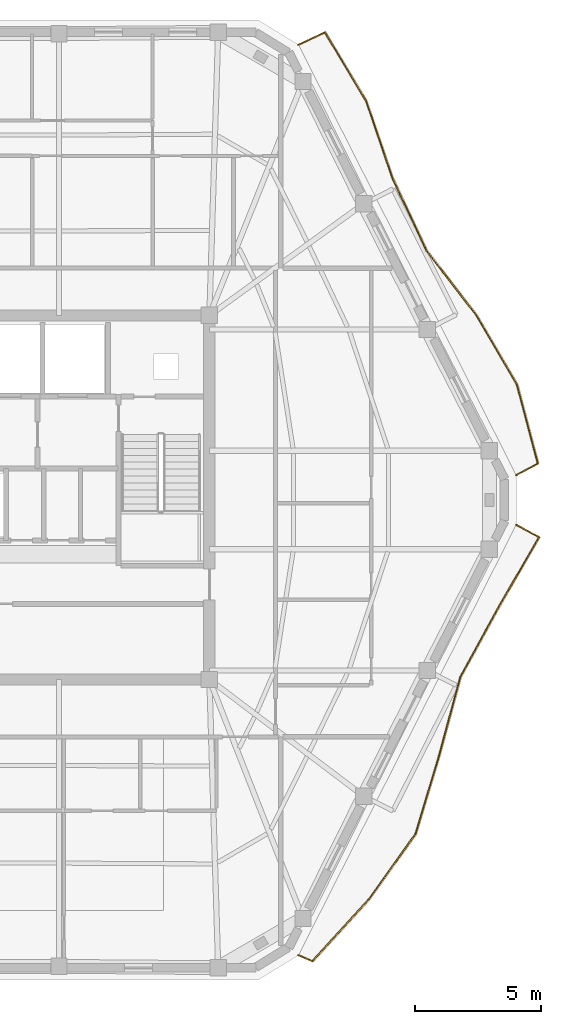
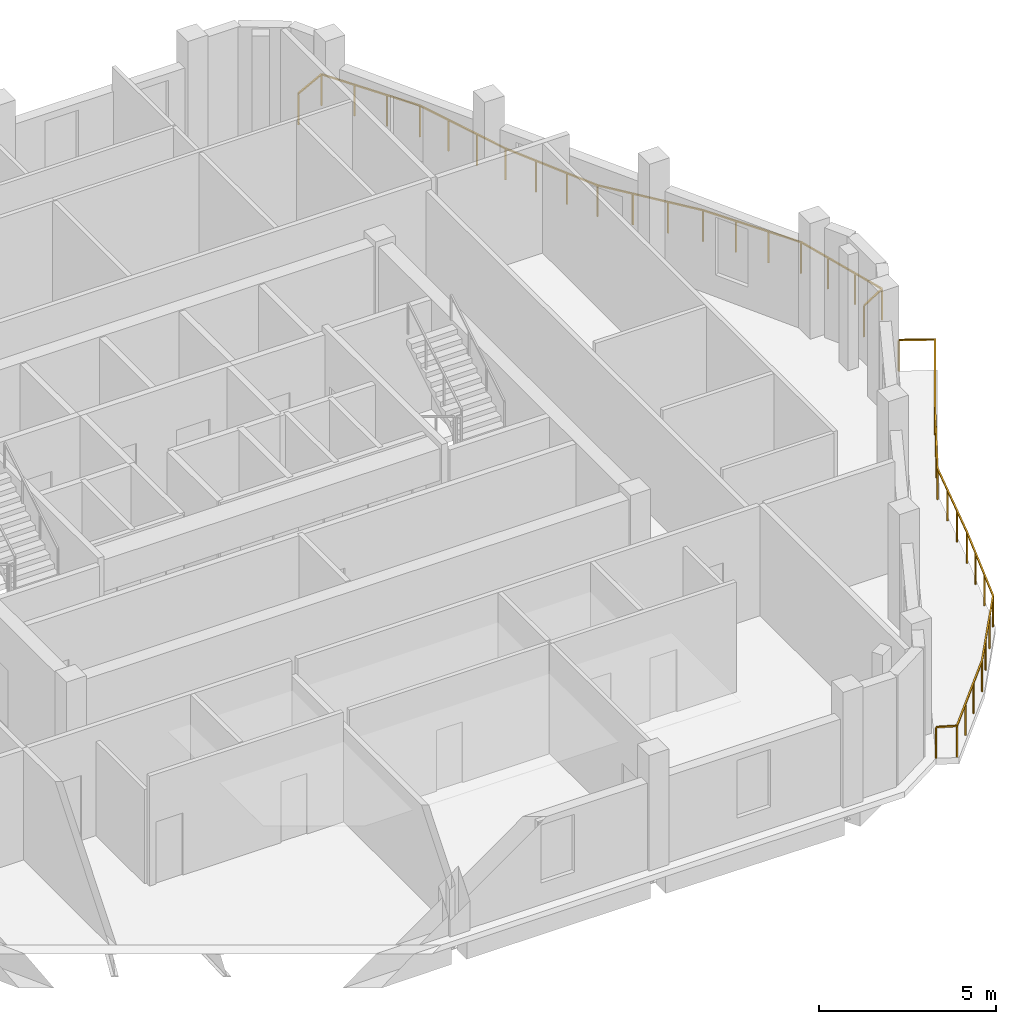
# One storey, part 11 of 11: 2 railings.
"""IFC4 building model written with IfcOpenShell, lengths in metres."""

from ifc_helpers import new_model, si_unit, direction, frame, origin, origin_2d, place, context, subcontext, project, spatial, rectangle, extrude, material, type_object, element, save


model = new_model("IFC4")

# Units and contexts
model_context = context("Model", 3, precision=1e-05, world=origin(), true_north=direction((0.0, 1.0)))
body_context = subcontext(model_context, "Body", "Model", "MODEL_VIEW")
ifc_project = project(units=[si_unit("LENGTHUNIT", "METRE"), si_unit("AREAUNIT", "SQUARE_METRE"), si_unit("VOLUMEUNIT", "CUBIC_METRE"), si_unit("PLANEANGLEUNIT", "RADIAN"), si_unit("MASSUNIT", "GRAM", prefix="KILO")], contexts=[model_context])

# Site, building, storey
site_placement = place(None, origin())
site = spatial("IfcSite", under=ifc_project, at=site_placement, CompositionType="ELEMENT")
building_placement = place(site_placement, origin())
building = spatial("IfcBuilding", under=site, at=building_placement, Name="Cinnabar Lancet Tower", CompositionType="ELEMENT")
storey_placement = place(building_placement, frame((0.0, 0.0, 283.5)))
storey = spatial("IfcBuildingStorey", under=building, at=storey_placement, Name="L75", CompositionType="ELEMENT", Elevation=283.5)

# Railings
ifc_material = material(Name="Laminated safety glass and bronze stainless steel balustrade", Category="steel")
railing_type = type_object("IfcRailingType", Name="ENV-RLG-BAL-1100", PredefinedType="BALUSTRADE", material=ifc_material)
railing_1_placement = place(storey_placement, frame((45.160888671875, 7.73193359375, 0.0)))
element("IfcRailing", 1, at=railing_1_placement, inside=storey, type_object=railing_type, Name="L75 Face 2 Wave Balcony Balustrade", PredefinedType="BALUSTRADE", context=body_context, shape_type="SweptSolid", body=[
    extrude(rectangle(XDim=0.048095703125, YDim=0.048095703125, at=origin_2d()), frame((0.0, 0.0, 1.076171875), z_axis=(0.915846427859, -0.401528729455, 0.0), x_axis=(0.401528729455, 0.915846427859, 0.0)), (0.0, 0.0, 1.0), 0.59521484375),
    extrude(rectangle(XDim=0.048095703125, YDim=0.048095703125, at=origin_2d()), frame((0.545166015625, -0.239013671875, 1.076171875), z_axis=(0.674605826464, 0.738178148485, 0.0), x_axis=(-0.738178148485, 0.674605826464, 0.0)), (0.0, 0.0, 1.0), 3.302734375),
    extrude(rectangle(XDim=0.048095703125, YDim=0.048095703125, at=origin_2d()), frame((2.773193359375, 2.198974609375, 1.076171875), z_axis=(0.581388897725, 0.813625804411, 0.0), x_axis=(-0.813625804411, 0.581388897725, 0.0)), (0.0, 0.0, 1.0), 3.218017578125),
    extrude(rectangle(XDim=0.048095703125, YDim=0.048095703125, at=origin_2d()), frame((4.64404296875, 4.817138671875, 1.076171875), z_axis=(0.288103179478, 0.957599372376, 0.0), x_axis=(-0.957599372376, 0.288103179478, 0.0)), (0.0, 0.0, 1.0), 3.23193359375),
    extrude(rectangle(XDim=0.048095703125, YDim=0.048095703125, at=origin_2d()), frame((5.5751953125, 7.912109375, 1.076171875), z_axis=(0.260801089111, 0.965392558454, 0.0), x_axis=(-0.965392558454, 0.260801089111, 0.0)), (0.0, 0.0, 1.0), 3.247314453125),
    extrude(rectangle(XDim=0.048095703125, YDim=0.048095703125, at=origin_2d()), frame((6.422119140625, 11.047119140625, 1.076171875), z_axis=(0.480705154446, 0.876882292266, 0.0), x_axis=(-0.876882292266, 0.480705154446, 0.0)), (0.0, 0.0, 1.0), 3.182861328125),
    extrude(rectangle(XDim=0.048095703125, YDim=0.048095703125, at=origin_2d()), frame((7.9521484375, 13.838134765625, 1.076171875), z_axis=(0.500710144416, 0.865615013316, 0.0), x_axis=(-0.865615013316, 0.500710144416, 0.0)), (0.0, 0.0, 1.0), 3.187255859375),
    extrude(rectangle(XDim=0.048095703125, YDim=0.048095703125, at=origin_2d()), frame((9.548095703125, 16.59716796875, 1.076171875), z_axis=(-0.879998574011, 0.47497632545, 0.0), x_axis=(-0.47497632545, -0.879998574011, 0.0)), (0.0, 0.0, 1.0), 1.029541015625),
    extrude(rectangle(XDim=0.0419921875, YDim=0.0419921875, at=origin_2d()), origin(), (0.0, 0.0, 1.0), 1.052001953125),
    extrude(rectangle(XDim=0.0419921875, YDim=0.0419921875, at=origin_2d()), frame((0.545166015625, -0.239013671875, 0.0)), (0.0, 0.0, 1.0), 1.052001953125),
    extrude(rectangle(XDim=0.0419921875, YDim=0.0419921875, at=origin_2d()), frame((1.287841796875, 0.57373046875, 0.0)), (0.0, 0.0, 1.0), 1.052001953125),
    extrude(rectangle(XDim=0.0419921875, YDim=0.0419921875, at=origin_2d()), frame((2.030517578125, 1.38623046875, 0.0)), (0.0, 0.0, 1.0), 1.052001953125),
    extrude(rectangle(XDim=0.0419921875, YDim=0.0419921875, at=origin_2d()), frame((2.773193359375, 2.198974609375, 0.0)), (0.0, 0.0, 1.0), 1.052001953125),
    extrude(rectangle(XDim=0.0419921875, YDim=0.0419921875, at=origin_2d()), frame((3.396728515625, 3.07177734375, 0.0)), (0.0, 0.0, 1.0), 1.052001953125),
    extrude(rectangle(XDim=0.0419921875, YDim=0.0419921875, at=origin_2d()), frame((4.0205078125, 3.9443359375, 0.0)), (0.0, 0.0, 1.0), 1.052001953125),
    extrude(rectangle(XDim=0.0419921875, YDim=0.0419921875, at=origin_2d()), frame((4.64404296875, 4.817138671875, 0.0)), (0.0, 0.0, 1.0), 1.052001953125),
    extrude(rectangle(XDim=0.0419921875, YDim=0.0419921875, at=origin_2d()), frame((4.954345703125, 5.848876953125, 0.0)), (0.0, 0.0, 1.0), 1.052001953125),
    extrude(rectangle(XDim=0.0419921875, YDim=0.0419921875, at=origin_2d()), frame((5.264892578125, 6.88037109375, 0.0)), (0.0, 0.0, 1.0), 1.052001953125),
    extrude(rectangle(XDim=0.0419921875, YDim=0.0419921875, at=origin_2d()), frame((5.5751953125, 7.912109375, 0.0)), (0.0, 0.0, 1.0), 1.052001953125),
    extrude(rectangle(XDim=0.0419921875, YDim=0.0419921875, at=origin_2d()), frame((5.857421875, 8.95703125, 0.0)), (0.0, 0.0, 1.0), 1.052001953125),
    extrude(rectangle(XDim=0.0419921875, YDim=0.0419921875, at=origin_2d()), frame((6.139892578125, 10.002197265625, 0.0)), (0.0, 0.0, 1.0), 1.052001953125),
    extrude(rectangle(XDim=0.0419921875, YDim=0.0419921875, at=origin_2d()), frame((6.422119140625, 11.047119140625, 0.0)), (0.0, 0.0, 1.0), 1.052001953125),
    extrude(rectangle(XDim=0.0419921875, YDim=0.0419921875, at=origin_2d()), frame((6.93212890625, 11.9775390625, 0.0)), (0.0, 0.0, 1.0), 1.052001953125),
    extrude(rectangle(XDim=0.0419921875, YDim=0.0419921875, at=origin_2d()), frame((7.442138671875, 12.90771484375, 0.0)), (0.0, 0.0, 1.0), 1.052001953125),
    extrude(rectangle(XDim=0.0419921875, YDim=0.0419921875, at=origin_2d()), frame((7.9521484375, 13.838134765625, 0.0)), (0.0, 0.0, 1.0), 1.052001953125),
    extrude(rectangle(XDim=0.0419921875, YDim=0.0419921875, at=origin_2d()), frame((8.484130859375, 14.7578125, 0.0)), (0.0, 0.0, 1.0), 1.052001953125),
    extrude(rectangle(XDim=0.0419921875, YDim=0.0419921875, at=origin_2d()), frame((9.01611328125, 15.677490234375, 0.0)), (0.0, 0.0, 1.0), 1.052001953125),
    extrude(rectangle(XDim=0.0419921875, YDim=0.0419921875, at=origin_2d()), frame((9.548095703125, 16.59716796875, 0.0)), (0.0, 0.0, 1.0), 1.052001953125),
    extrude(rectangle(XDim=0.0419921875, YDim=0.0419921875, at=origin_2d()), frame((8.64208984375, 17.086181640625, 0.0)), (0.0, 0.0, 1.0), 1.052001953125),
])
railing_2_placement = place(storey_placement, frame((53.802978515625, 26.781982421875, 0.0)))
element("IfcRailing", 2, at=railing_2_placement, inside=storey, type_object=railing_type, Name="L75 Face 3 Wave Balcony Balustrade", PredefinedType="BALUSTRADE", context=body_context, shape_type="SweptSolid", body=[
    extrude(rectangle(XDim=0.048095703125, YDim=0.048095703125, at=origin_2d()), frame((0.0, 0.0, 1.076171875), z_axis=(0.879581396458, 0.475748428273, 0.0), x_axis=(-0.475748428273, 0.879581396458, 0.0)), (0.0, 0.0, 1.0), 0.970947265625),
    extrude(rectangle(XDim=0.048095703125, YDim=0.048095703125, at=origin_2d()), frame((0.85400390625, 0.4619140625, 1.076171875), z_axis=(-0.255756419546, 0.966741254867, 0.0), x_axis=(-0.966741254867, -0.255756419546, 0.0)), (0.0, 0.0, 1.0), 3.253173828125),
    extrude(rectangle(XDim=0.048095703125, YDim=0.048095703125, at=origin_2d()), frame((0.02197265625, 3.60693359375, 1.076171875), z_axis=(-0.506173333326, 0.862431769261, 0.0), x_axis=(-0.862431769261, -0.506173333326, 0.0)), (0.0, 0.0, 1.0), 3.188720703125),
    extrude(rectangle(XDim=0.048095703125, YDim=0.048095703125, at=origin_2d()), frame((-1.592041015625, 6.35693359375, 1.076171875), z_axis=(-0.610399432579, 0.792093765098, 0.0), x_axis=(-0.792093765098, -0.610399432579, 0.0)), (0.0, 0.0, 1.0), 3.237060546875),
    extrude(rectangle(XDim=0.048095703125, YDim=0.048095703125, at=origin_2d()), frame((-3.56787109375, 8.9208984375, 1.076171875), z_axis=(-0.424325748612, 0.905509612906, 0.0), x_axis=(-0.905509612906, -0.424325748612, 0.0)), (0.0, 0.0, 1.0), 3.181640625),
    extrude(rectangle(XDim=0.048095703125, YDim=0.048095703125, at=origin_2d()), frame((-4.91796875, 11.802001953125, 1.076171875), z_axis=(-0.323057552191, 0.946379320343, 0.0), x_axis=(-0.946379320343, -0.323057552191, 0.0)), (0.0, 0.0, 1.0), 3.21337890625),
    extrude(rectangle(XDim=0.048095703125, YDim=0.048095703125, at=origin_2d()), frame((-5.9560546875, 14.843017578125, 1.076171875), z_axis=(-0.51418070588, 0.857681876747, 0.0), x_axis=(-0.857681876747, -0.51418070588, 0.0)), (0.0, 0.0, 1.0), 3.191162109375),
    extrude(rectangle(XDim=0.048095703125, YDim=0.048095703125, at=origin_2d()), frame((-7.596923828125, 17.580078125, 1.076171875), z_axis=(-0.904051495737, -0.427423552294, 0.0), x_axis=(0.427423552294, -0.904051495737, 0.0)), (0.0, 0.0, 1.0), 1.156005859375),
    extrude(rectangle(XDim=0.0419921875, YDim=0.0419921875, at=origin_2d()), origin(), (0.0, 0.0, 1.0), 1.052001953125),
    extrude(rectangle(XDim=0.0419921875, YDim=0.0419921875, at=origin_2d()), frame((0.85400390625, 0.4619140625, 0.0)), (0.0, 0.0, 1.0), 1.052001953125),
    extrude(rectangle(XDim=0.0419921875, YDim=0.0419921875, at=origin_2d()), frame((0.57666015625, 1.51025390625, 0.0)), (0.0, 0.0, 1.0), 1.052001953125),
    extrude(rectangle(XDim=0.0419921875, YDim=0.0419921875, at=origin_2d()), frame((0.29931640625, 2.55859375, 0.0)), (0.0, 0.0, 1.0), 1.052001953125),
    extrude(rectangle(XDim=0.0419921875, YDim=0.0419921875, at=origin_2d()), frame((0.02197265625, 3.60693359375, 0.0)), (0.0, 0.0, 1.0), 1.052001953125),
    extrude(rectangle(XDim=0.0419921875, YDim=0.0419921875, at=origin_2d()), frame((-0.51611328125, 4.523681640625, 0.0)), (0.0, 0.0, 1.0), 1.052001953125),
    extrude(rectangle(XDim=0.0419921875, YDim=0.0419921875, at=origin_2d()), frame((-1.053955078125, 5.440185546875, 0.0)), (0.0, 0.0, 1.0), 1.052001953125),
    extrude(rectangle(XDim=0.0419921875, YDim=0.0419921875, at=origin_2d()), frame((-1.592041015625, 6.35693359375, 0.0)), (0.0, 0.0, 1.0), 1.052001953125),
    extrude(rectangle(XDim=0.0419921875, YDim=0.0419921875, at=origin_2d()), frame((-2.250732421875, 7.211669921875, 0.0)), (0.0, 0.0, 1.0), 1.052001953125),
    extrude(rectangle(XDim=0.0419921875, YDim=0.0419921875, at=origin_2d()), frame((-2.9091796875, 8.066162109375, 0.0)), (0.0, 0.0, 1.0), 1.052001953125),
    extrude(rectangle(XDim=0.0419921875, YDim=0.0419921875, at=origin_2d()), frame((-3.56787109375, 8.9208984375, 0.0)), (0.0, 0.0, 1.0), 1.052001953125),
    extrude(rectangle(XDim=0.0419921875, YDim=0.0419921875, at=origin_2d()), frame((-4.017822265625, 9.88134765625, 0.0)), (0.0, 0.0, 1.0), 1.052001953125),
    extrude(rectangle(XDim=0.0419921875, YDim=0.0419921875, at=origin_2d()), frame((-4.468017578125, 10.841552734375, 0.0)), (0.0, 0.0, 1.0), 1.052001953125),
    extrude(rectangle(XDim=0.0419921875, YDim=0.0419921875, at=origin_2d()), frame((-4.91796875, 11.802001953125, 0.0)), (0.0, 0.0, 1.0), 1.052001953125),
    extrude(rectangle(XDim=0.0419921875, YDim=0.0419921875, at=origin_2d()), frame((-5.263916015625, 12.815673828125, 0.0)), (0.0, 0.0, 1.0), 1.052001953125),
    extrude(rectangle(XDim=0.0419921875, YDim=0.0419921875, at=origin_2d()), frame((-5.610107421875, 13.829345703125, 0.0)), (0.0, 0.0, 1.0), 1.052001953125),
    extrude(rectangle(XDim=0.0419921875, YDim=0.0419921875, at=origin_2d()), frame((-5.9560546875, 14.843017578125, 0.0)), (0.0, 0.0, 1.0), 1.052001953125),
    extrude(rectangle(XDim=0.0419921875, YDim=0.0419921875, at=origin_2d()), frame((-6.5029296875, 15.75537109375, 0.0)), (0.0, 0.0, 1.0), 1.052001953125),
    extrude(rectangle(XDim=0.0419921875, YDim=0.0419921875, at=origin_2d()), frame((-7.050048828125, 16.667724609375, 0.0)), (0.0, 0.0, 1.0), 1.052001953125),
    extrude(rectangle(XDim=0.0419921875, YDim=0.0419921875, at=origin_2d()), frame((-7.596923828125, 17.580078125, 0.0)), (0.0, 0.0, 1.0), 1.052001953125),
    extrude(rectangle(XDim=0.0419921875, YDim=0.0419921875, at=origin_2d()), frame((-8.64208984375, 17.0859375, 0.0)), (0.0, 0.0, 1.0), 1.052001953125),
])

save(model, "model.ifc")
